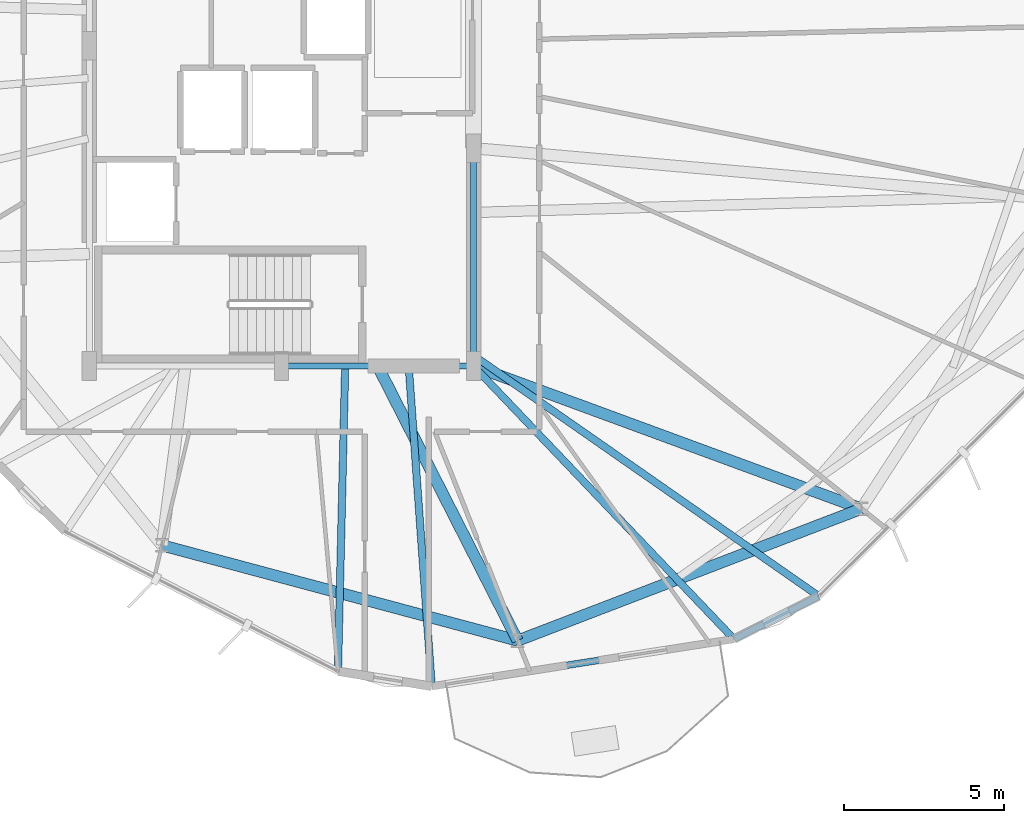
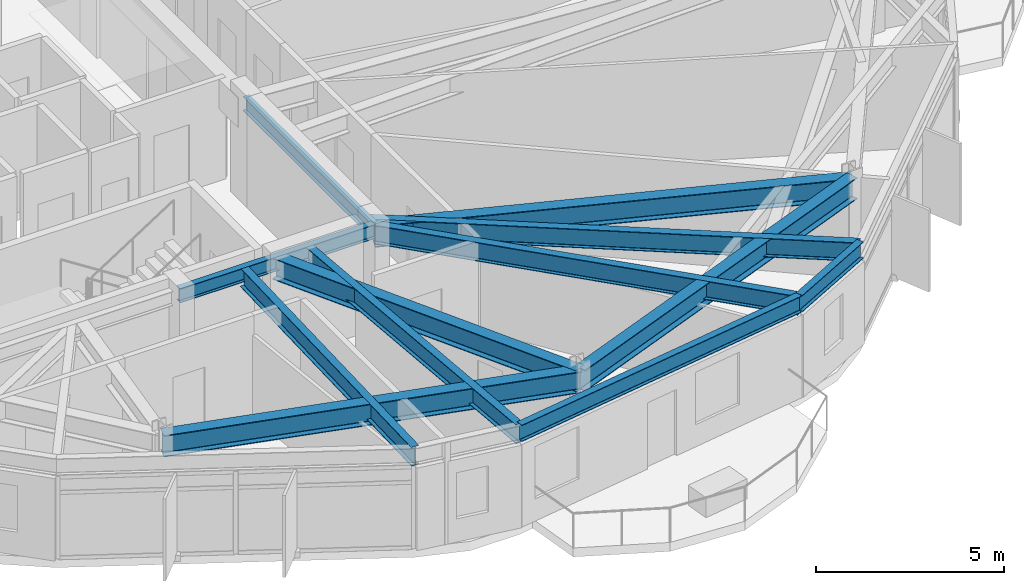
# One storey, part 5 of 27: 12 beams.
"""IFC4 building model written with IfcOpenShell, lengths in metres."""

from ifc_helpers import new_model, si_unit, direction, frame, origin, origin_2d, place, context, subcontext, project, spatial, i_section, extrude, material, material_profile, profile_set, type_object, element, save


model = new_model("IFC4")

# Units and contexts
model_context = context("Model", 3, precision=1e-05, world=origin(), true_north=direction((0.0, 1.0)))
body_context = subcontext(model_context, "Body", "Model", "MODEL_VIEW")
ifc_project = project(units=[si_unit("LENGTHUNIT", "METRE"), si_unit("AREAUNIT", "SQUARE_METRE"), si_unit("VOLUMEUNIT", "CUBIC_METRE"), si_unit("PLANEANGLEUNIT", "RADIAN"), si_unit("MASSUNIT", "GRAM", prefix="KILO")], contexts=[model_context])

# Site, building, storey
site_placement = place(None, origin())
site = spatial("IfcSite", under=ifc_project, at=site_placement, CompositionType="ELEMENT")
building_placement = place(site_placement, origin())
building = spatial("IfcBuilding", under=site, at=building_placement, Name="Soratama Intermodal Tower", CompositionType="ELEMENT")
storey_placement = place(building_placement, frame((0.0, 0.0, 197.800048828125)))
storey = spatial("IfcBuildingStorey", under=building, at=storey_placement, Name="L49", CompositionType="ELEMENT", Elevation=197.800048828125)

# Beams
ifc_material_1 = material(Name="Structural steel ASTM A992 Grade 50", Category="steel")
ifc_material_profile_1 = material_profile(ifc_material_1, i_section(OverallWidth=0.19091796875, OverallDepth=0.4599609375, WebThickness=0.010009765625, FlangeThickness=0.01611328125, FilletRadius=0.010986328125, at=origin_2d()), Name="W18X55")
ifc_profile_set_1 = profile_set([ifc_material_profile_1], Name="Structural steel ASTM A992 Grade 50")
beam_type_1 = type_object("IfcBeamType", Name="BM-FLR-W18X55", PredefinedType="BEAM", material=ifc_profile_set_1)
beam_1_placement = place(storey_placement, frame((38.60009765625, 15.0, 3.070068359375), z_axis=(1.0, 0.0, 0.0), x_axis=(0.0, 1.0, 0.0)))
element("IfcBeam", 1, at=beam_1_placement, inside=storey, type_object=beam_type_1, Name="BM-L49-CRING-02", PredefinedType="BEAM", context=body_context, shape_type="SweptSolid", body=[
    extrude(i_section(OverallWidth=0.19091796875, OverallDepth=0.4599609375, WebThickness=0.010009765625, FlangeThickness=0.01611328125, FilletRadius=0.010986328125, at=origin_2d()), origin(), (0.0, 0.0, 1.0), 6.0),
])
beam_2_placement = place(storey_placement, frame((44.60009765625, 15.0, 3.070068359375), z_axis=(0.0, 1.0, 0.0), x_axis=(-1.0, 0.0, 0.0)))
element("IfcBeam", 2, at=beam_2_placement, inside=storey, type_object=beam_type_1, Name="BM-L49-CRING-03", PredefinedType="BEAM", context=body_context, shape_type="SweptSolid", body=[
    extrude(i_section(OverallWidth=0.19091796875, OverallDepth=0.4599609375, WebThickness=0.010009765625, FlangeThickness=0.01611328125, FilletRadius=0.010986328125, at=origin_2d()), origin(), (0.0, 0.0, 1.0), 6.800048828125),
])
ifc_material_2 = material(Name="Structural steel ASTM A992 Grade 50", Category="steel")
ifc_material_profile_2 = material_profile(ifc_material_2, i_section(OverallWidth=0.35498046875, OverallDepth=0.695068359375, WebThickness=0.015380859375, FlangeThickness=0.02490234375, FilletRadius=0.01611328125, at=origin_2d()), Name="W27X146")
ifc_profile_set_2 = profile_set([ifc_material_profile_2], Name="Structural steel ASTM A992 Grade 50")
beam_type_2 = type_object("IfcBeamType", Name="BM-RING-W27X146", PredefinedType="BEAM", material=ifc_profile_set_2)
beam_3_placement = place(storey_placement, frame((34.8701171875, 9.40087890625, 2.952392578125), z_axis=(0.965928616227, -0.258808632687, 0.0), x_axis=(0.258808632687, 0.965928616227, 0.0)))
element("IfcBeam", 3, at=beam_3_placement, inside=storey, type_object=beam_type_2, Name="BM-L49-RING-07", PredefinedType="BEAM", context=body_context, shape_type="SweptSolid", body=[
    extrude(i_section(OverallWidth=0.35498046875, OverallDepth=0.695068359375, WebThickness=0.015380859375, FlangeThickness=0.02490234375, FilletRadius=0.01611328125, at=origin_2d()), origin(), (0.0, 0.0, 1.0), 11.494384765625),
])
beam_4_placement = place(storey_placement, frame((45.972900390625, 6.426025390625, 2.952392578125), z_axis=(0.933603724339, 0.358307250695, 0.0), x_axis=(-0.358307250695, 0.933603724339, 0.0)))
element("IfcBeam", 4, at=beam_4_placement, inside=storey, type_object=beam_type_2, Name="BM-L49-RING-08", PredefinedType="BEAM", context=body_context, shape_type="SweptSolid", body=[
    extrude(i_section(OverallWidth=0.35498046875, OverallDepth=0.695068359375, WebThickness=0.015380859375, FlangeThickness=0.02490234375, FilletRadius=0.01611328125, at=origin_2d()), origin(), (0.0, 0.0, 1.0), 11.495361328125),
])
beam_5_placement = place(storey_placement, frame((41.60009765625, 15.0, 2.952392578125), z_axis=(0.454332323157, -0.890832273851, 0.0), x_axis=(0.890832273851, 0.454332323157, 0.0)))
element("IfcBeam", 5, at=beam_5_placement, inside=storey, type_object=beam_type_2, Name="BM-L49-RAD-08", PredefinedType="BEAM", context=body_context, shape_type="SweptSolid", body=[
    extrude(i_section(OverallWidth=0.35498046875, OverallDepth=0.695068359375, WebThickness=0.015380859375, FlangeThickness=0.02490234375, FilletRadius=0.01611328125, at=origin_2d()), origin(), (0.0, 0.0, 1.0), 9.624755859375),
])
beam_6_placement = place(storey_placement, frame((44.60009765625, 15.0, 2.952392578125), z_axis=(0.938460043872, -0.345387819785, 0.0), x_axis=(0.345387819785, 0.938460043872, 0.0)))
element("IfcBeam", 6, at=beam_6_placement, inside=storey, type_object=beam_type_2, Name="BM-L49-RAD-09", PredefinedType="BEAM", context=body_context, shape_type="SweptSolid", body=[
    extrude(i_section(OverallWidth=0.35498046875, OverallDepth=0.695068359375, WebThickness=0.015380859375, FlangeThickness=0.02490234375, FilletRadius=0.01611328125, at=origin_2d()), origin(), (0.0, 0.0, 1.0), 12.898681640625),
])
ifc_material_3 = material(Name="Structural steel ASTM A992 Grade 50", Category="steel")
ifc_material_profile_3 = material_profile(ifc_material_3, i_section(OverallWidth=0.2099609375, OverallDepth=0.537109375, WebThickness=0.010986328125, FlangeThickness=0.017333984375, FilletRadius=0.012939453125, at=origin_2d()), Name="W21X68")
ifc_profile_set_3 = profile_set([ifc_material_profile_3], Name="Structural steel ASTM A992 Grade 50")
beam_type_3 = type_object("IfcBeamType", Name="BM-SPN-W21X68", PredefinedType="SPANDREL", material=ifc_profile_set_3)
beam_7_placement = place(storey_placement, frame((43.291015625, 4.9970703125, 3.031494140625), z_axis=(0.988024943347, 0.154294236199, 0.0), x_axis=(-0.154294236199, 0.988024943347, 0.0)))
element("IfcBeam", 7, at=beam_7_placement, inside=storey, type_object=beam_type_3, Name="BS-L49-F07", PredefinedType="SPANDREL", context=body_context, shape_type="SweptSolid", body=[
    extrude(i_section(OverallWidth=0.2099609375, OverallDepth=0.537109375, WebThickness=0.010986328125, FlangeThickness=0.017333984375, FilletRadius=0.012939453125, at=origin_2d()), origin(), (0.0, 0.0, 1.0), 9.552490234375),
])
beam_8_placement = place(storey_placement, frame((52.72900390625, 6.470947265625, 3.031494140625), z_axis=(0.891845043885, 0.452341041358, 0.0), x_axis=(-0.452341041358, 0.891845043885, 0.0)))
element("IfcBeam", 8, at=beam_8_placement, inside=storey, type_object=beam_type_3, Name="BS-L49-CRN07", PredefinedType="SPANDREL", context=body_context, shape_type="SweptSolid", body=[
    extrude(i_section(OverallWidth=0.2099609375, OverallDepth=0.537109375, WebThickness=0.010986328125, FlangeThickness=0.017333984375, FilletRadius=0.012939453125, at=origin_2d()), origin(), (0.0, 0.0, 1.0), 2.966796875),
])
ifc_material_4 = material(Name="Structural steel ASTM A992 Grade 50", Category="steel")
ifc_material_profile_4 = material_profile(ifc_material_4, i_section(OverallWidth=0.22900390625, OverallDepth=0.612060546875, WebThickness=0.011962890625, FlangeThickness=0.01953125, FilletRadius=0.012939453125, at=origin_2d()), Name="W24X84")
ifc_profile_set_4 = profile_set([ifc_material_profile_4], Name="Structural steel ASTM A992 Grade 50")
beam_type_4 = type_object("IfcBeamType", Name="BM-TIE-W24X84", PredefinedType="BEAM", material=ifc_profile_set_4)
beam_9_placement = place(storey_placement, frame((40.5869140625, 14.9599609375, 2.993896484375), z_axis=(-0.02367980213, -0.999719594172, 0.0), x_axis=(0.999719594172, -0.02367980213, 0.0)))
element("IfcBeam", 9, at=beam_9_placement, inside=storey, type_object=beam_type_4, Name="BM-L49-TIE1-06", PredefinedType="BEAM", context=body_context, shape_type="SweptSolid", body=[
    extrude(i_section(OverallWidth=0.22900390625, OverallDepth=0.612060546875, WebThickness=0.011962890625, FlangeThickness=0.01953125, FilletRadius=0.012939453125, at=origin_2d()), origin(), (0.0, 0.0, 1.0), 9.49560546875),
])
beam_10_placement = place(storey_placement, frame((42.573974609375, 14.9599609375, 2.993896484375), z_axis=(0.071785503151, -0.997420092808, 0.0), x_axis=(0.997420092808, 0.071785503151, 0.0)))
element("IfcBeam", 10, at=beam_10_placement, inside=storey, type_object=beam_type_4, Name="BM-L49-TIE0-07", PredefinedType="BEAM", context=body_context, shape_type="SweptSolid", body=[
    extrude(i_section(OverallWidth=0.22900390625, OverallDepth=0.612060546875, WebThickness=0.011962890625, FlangeThickness=0.01953125, FilletRadius=0.012939453125, at=origin_2d()), origin(), (0.0, 0.0, 1.0), 9.98876953125),
])
beam_11_placement = place(storey_placement, frame((44.623046875, 14.970947265625, 2.993896484375), z_axis=(0.690133567199, -0.723682015408, 0.0), x_axis=(0.723682015408, 0.690133567199, 0.0)))
element("IfcBeam", 11, at=beam_11_placement, inside=storey, type_object=beam_type_4, Name="BM-L49-TIE1-07", PredefinedType="BEAM", context=body_context, shape_type="SweptSolid", body=[
    extrude(i_section(OverallWidth=0.22900390625, OverallDepth=0.612060546875, WebThickness=0.011962890625, FlangeThickness=0.01953125, FilletRadius=0.012939453125, at=origin_2d()), origin(), (0.0, 0.0, 1.0), 11.74560546875),
])
beam_12_placement = place(storey_placement, frame((44.633056640625, 15.302001953125, 2.993896484375), z_axis=(0.820319181033, -0.571905972367, 0.0), x_axis=(0.571905972367, 0.820319181033, 0.0)))
element("IfcBeam", 12, at=beam_12_placement, inside=storey, type_object=beam_type_4, Name="BM-L49-TIE0-08", PredefinedType="BEAM", context=body_context, shape_type="SweptSolid", body=[
    extrude(i_section(OverallWidth=0.22900390625, OverallDepth=0.612060546875, WebThickness=0.011962890625, FlangeThickness=0.01953125, FilletRadius=0.012939453125, at=origin_2d()), origin(), (0.0, 0.0, 1.0), 13.0947265625),
])

save(model, "model.ifc")
